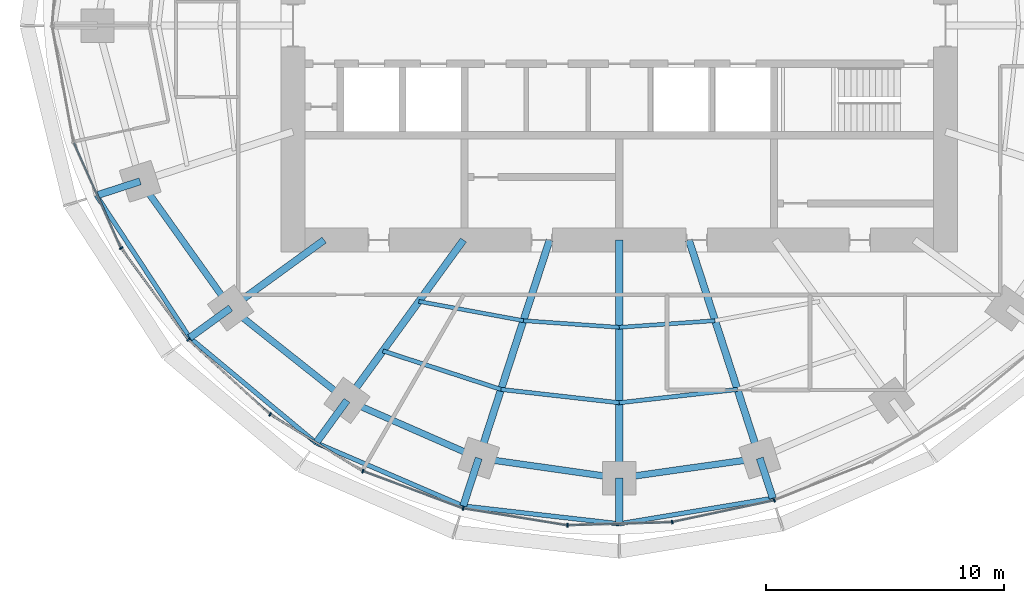
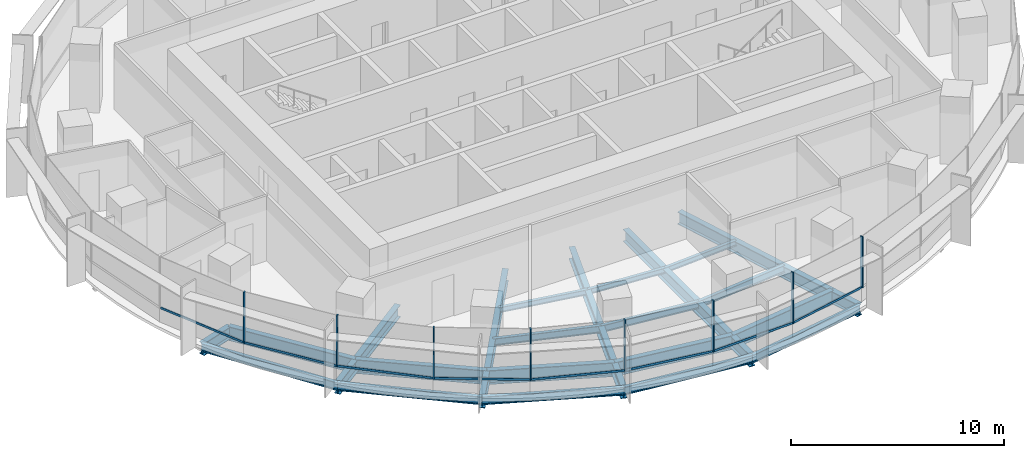
# One storey, part 2 of 14: 27 beams, 16 members, 2 elements without a shape of their own.
"""IFC4 building model written with IfcOpenShell, lengths in metres."""

from ifc_helpers import new_model, si_unit, direction, frame, origin, origin_2d, place, context, subcontext, project, spatial, rectangle, i_section, extrude, material, material_profile, profile_set, type_object, element, aggregate, save


model = new_model("IFC4")

# Units and contexts
model_context = context("Model", 3, precision=1e-05, world=origin(), true_north=direction((0.0, 1.0)))
body_context = subcontext(model_context, "Body", "Model", "MODEL_VIEW")
ifc_project = project(units=[si_unit("LENGTHUNIT", "METRE"), si_unit("AREAUNIT", "SQUARE_METRE"), si_unit("VOLUMEUNIT", "CUBIC_METRE"), si_unit("PLANEANGLEUNIT", "RADIAN"), si_unit("MASSUNIT", "GRAM", prefix="KILO")], contexts=[model_context])

# Site, building, storey
site_placement = place(None, origin())
site = spatial("IfcSite", under=ifc_project, at=site_placement, CompositionType="ELEMENT")
building_placement = place(site_placement, origin())
building = spatial("IfcBuilding", under=site, at=building_placement, Name="Marramba Exchange Tower", CompositionType="ELEMENT")
storey_placement = place(building_placement, frame((0.0, 0.0, 179.89990234375)))
storey = spatial("IfcBuildingStorey", under=building, at=storey_placement, Name="L43", CompositionType="ELEMENT", Elevation=179.89990234375)

# Beams
ifc_material_1 = material(Name="Steel AS/NZS 3679.2 grade 300", Category="steel")
ifc_material_profile_1 = material_profile(ifc_material_1, i_section(OverallWidth=0.300048828125, OverallDepth=0.699951171875, WebThickness=0.010009765625, FlangeThickness=0.031982421875, at=origin_2d()), Name="700WB173")
ifc_profile_set_1 = profile_set([ifc_material_profile_1], Name="Steel AS/NZS 3679.2 grade 300")
beam_type_1 = type_object("IfcBeamType", Name="Cantilever girder 700WB173", PredefinedType="BEAM", material=ifc_profile_set_1)
beam_1_placement = place(storey_placement, frame((-20.109375, -6.533935546875, -0.510009765625), z_axis=(-0.951071238541, -0.308971680287, 0.0), x_axis=(0.308971680287, -0.951071238541, 0.0)))
element("IfcBeam", 1, at=beam_1_placement, inside=storey, type_object=beam_type_1, Name="Cantilever girder L43 TC12", PredefinedType="BEAM", context=body_context, shape_type="SweptSolid", body=[
    extrude(i_section(OverallWidth=0.300048828125, OverallDepth=0.699951171875, WebThickness=0.010009765625, FlangeThickness=0.031982421875, at=origin_2d()), origin(), (0.0, 0.0, 1.0), 1.930419921875),
])
beam_2_placement = place(storey_placement, frame((-16.3154296875, -11.853759765625, -0.510009765625), z_axis=(-0.808969966943, -0.587849974555, 0.0), x_axis=(0.587849974555, -0.808969966943, 0.0)))
element("IfcBeam", 2, at=beam_2_placement, inside=storey, type_object=beam_type_1, Name="Cantilever girder L43 TC13", PredefinedType="BEAM", context=body_context, shape_type="SweptSolid", body=[
    extrude(i_section(OverallWidth=0.300048828125, OverallDepth=0.699951171875, WebThickness=0.010009765625, FlangeThickness=0.031982421875, at=origin_2d()), origin(), (0.0, 0.0, 1.0), 2.12109375),
])
beam_3_placement = place(storey_placement, frame((-11.430419921875, -15.732666015625, -0.510009765625), z_axis=(-0.587789596657, -0.809013837992, 0.0), x_axis=(0.809013837992, -0.587789596657, 0.0)))
element("IfcBeam", 3, at=beam_3_placement, inside=storey, type_object=beam_type_1, Name="Cantilever girder L43 TC14", PredefinedType="BEAM", context=body_context, shape_type="SweptSolid", body=[
    extrude(i_section(OverallWidth=0.300048828125, OverallDepth=0.699951171875, WebThickness=0.010009765625, FlangeThickness=0.031982421875, at=origin_2d()), origin(), (0.0, 0.0, 1.0), 2.203857421875),
])
beam_4_placement = place(storey_placement, frame((-5.899658203125, -18.156982421875, -0.510009765625), z_axis=(-0.308971068529, -0.951071437281, 0.0), x_axis=(0.951071437281, -0.308971068529, 0.0)))
element("IfcBeam", 4, at=beam_4_placement, inside=storey, type_object=beam_type_1, Name="Cantilever girder L43 TC15", PredefinedType="BEAM", context=body_context, shape_type="SweptSolid", body=[
    extrude(i_section(OverallWidth=0.300048828125, OverallDepth=0.699951171875, WebThickness=0.010009765625, FlangeThickness=0.031982421875, at=origin_2d()), origin(), (0.0, 0.0, 1.0), 2.112060546875),
])
beam_5_placement = place(storey_placement, frame((0.0, -18.99609375, -0.510009765625), z_axis=(0.0, -1.0, 0.0), x_axis=(1.0, 0.0, 0.0)))
element("IfcBeam", 5, at=beam_5_placement, inside=storey, type_object=beam_type_1, Name="Cantilever girder L43 TC16", PredefinedType="BEAM", context=body_context, shape_type="SweptSolid", body=[
    extrude(i_section(OverallWidth=0.300048828125, OverallDepth=0.699951171875, WebThickness=0.010009765625, FlangeThickness=0.031982421875, at=origin_2d()), origin(), (0.0, 0.0, 1.0), 1.917724609375),
])
beam_6_placement = place(storey_placement, frame((5.899658203125, -18.156982421875, -0.510009765625), z_axis=(0.308926813415, -0.951085813138, 0.0), x_axis=(0.951085813138, 0.308926813415, 0.0)))
element("IfcBeam", 6, at=beam_6_placement, inside=storey, type_object=beam_type_1, Name="Cantilever girder L43 TC17", PredefinedType="BEAM", context=body_context, shape_type="SweptSolid", body=[
    extrude(i_section(OverallWidth=0.300048828125, OverallDepth=0.699951171875, WebThickness=0.010009765625, FlangeThickness=0.031982421875, at=origin_2d()), origin(), (0.0, 0.0, 1.0), 1.767822265625),
])
ifc_material_2 = material(Name="Steel AS/NZS 3679.1 grade 300", Category="steel")
ifc_material_profile_2 = material_profile(ifc_material_2, i_section(OverallWidth=0.166015625, OverallDepth=0.306884765625, WebThickness=0.006591796875, FlangeThickness=0.01171875, FilletRadius=0.011474609375, at=origin_2d()), Name="310UB46.2")
ifc_profile_set_2 = profile_set([ifc_material_profile_2], Name="Steel AS/NZS 3679.1 grade 300")
beam_type_2 = type_object("IfcBeamType", Name="Floor joist 310UB46.2", PredefinedType="JOIST", material=ifc_profile_set_2)
beam_7_placement = place(storey_placement, frame((-8.41162109375, -11.57763671875, -0.3134765625), z_axis=(0.983455754421, -0.181148500119, 0.0), x_axis=(0.181148500119, 0.983455754421, 0.0)))
element("IfcBeam", 7, at=beam_7_placement, inside=storey, type_object=beam_type_2, Name="Joist L43 bay 14 row 1", PredefinedType="JOIST", context=body_context, shape_type="SweptSolid", body=[
    extrude(i_section(OverallWidth=0.166015625, OverallDepth=0.306884765625, WebThickness=0.006591796875, FlangeThickness=0.01171875, FilletRadius=0.011474609375, at=origin_2d()), origin(), (0.0, 0.0, 1.0), 4.4609375),
])
for number, where, z_axis, x_axis, name in (
    (8, (-4.0244140625, -12.3857421875, -0.3134765625), (0.99759625901, -0.069294328838, 0.0), (0.069294328838, 0.99759625901, 0.0), "Joist L43 bay 15 row 1"),
    (9, (0.0, -12.665283203125, -0.3134765625), (0.99759625901, 0.069294328838, 0.0), (-0.069294328838, 0.99759625901, 0.0), "Joist L43 bay 16 row 1"),
):
    element("IfcBeam", number, at=place(storey_placement, frame(where, z_axis=z_axis, x_axis=x_axis)), inside=storey, type_object=beam_type_2, Name=name, PredefinedType="JOIST", context=body_context, shape_type="SweptSolid", body=[
        extrude(i_section(OverallWidth=0.166015625, OverallDepth=0.306884765625, WebThickness=0.006591796875, FlangeThickness=0.01171875, FilletRadius=0.011474609375, at=origin_2d()), origin(), (0.0, 0.0, 1.0), 4.0341796875),
    ])
ifc_material_profile_3 = material_profile(ifc_material_2, i_section(OverallWidth=0.177978515625, OverallDepth=0.406005859375, WebThickness=0.0078125, FlangeThickness=0.0126953125, FilletRadius=0.011474609375, at=origin_2d()), Name="410UB59.7")
ifc_profile_set_3 = profile_set([ifc_material_profile_3], Name="Steel AS/NZS 3679.1 grade 300")
beam_type_3 = type_object("IfcBeamType", Name="Floor joist 410UB59.7", PredefinedType="JOIST", material=ifc_profile_set_3)
beam_8_placement = place(storey_placement, frame((-9.9208984375, -13.655029296875, -0.36279296875), z_axis=(0.950764024931, -0.309915744834, 0.0), x_axis=(0.309915744834, 0.950764024931, 0.0)))
element("IfcBeam", 10, at=beam_8_placement, inside=storey, type_object=beam_type_3, Name="Joist L43 bay 14 row 2", PredefinedType="JOIST", context=body_context, shape_type="SweptSolid", body=[
    extrude(i_section(OverallWidth=0.177978515625, OverallDepth=0.406005859375, WebThickness=0.0078125, FlangeThickness=0.0126953125, FilletRadius=0.011474609375, at=origin_2d()), origin(), (0.0, 0.0, 1.0), 5.2158203125),
])
for number, where, z_axis, x_axis, name in (
    (11, (-4.9619140625, -15.271484375, -0.36279296875), (0.993712018573, -0.111966174106, 0.0), (0.111966174106, 0.993712018573, 0.0), "Joist L43 bay 15 row 2"),
    (12, (0.0, -15.83056640625, -0.36279296875), (0.993712018573, 0.111966174106, 0.0), (-0.111966174106, 0.993712018573, 0.0), "Joist L43 bay 16 row 2"),
):
    element("IfcBeam", number, at=place(storey_placement, frame(where, z_axis=z_axis, x_axis=x_axis)), inside=storey, type_object=beam_type_3, Name=name, PredefinedType="JOIST", context=body_context, shape_type="SweptSolid", body=[
        extrude(i_section(OverallWidth=0.177978515625, OverallDepth=0.406005859375, WebThickness=0.0078125, FlangeThickness=0.0126953125, FilletRadius=0.011474609375, at=origin_2d()), origin(), (0.0, 0.0, 1.0), 4.993408203125),
    ])

# Curtain wall, members
ifc_material_3 = material(Name="Aluminium framing, bronze anodised", Category="aluminium")
curtain_wall_type = type_object("IfcCurtainWallType", Name="Office ribbon curtain wall", PredefinedType="USERDEFINED", material=ifc_material_3)
curtain_wall_1_placement = place(storey_placement, origin())
curtain_wall_1 = element("IfcCurtainWall", 13, at=curtain_wall_1_placement, inside=storey, type_object=curtain_wall_type, Name="Curtain wall CW4 L43 F16-F20", ObjectType="RIBBON CURTAIN WALL", PredefinedType="USERDEFINED")
ifc_material_4 = material(Name="Aluminium mullion, bronze anodised", Category="aluminium")
ifc_material_profile_4 = material_profile(ifc_material_4, rectangle(XDim=0.159912109375, YDim=0.06005859375, at=origin_2d()), Name="CW4 mullion 60x160")
ifc_profile_set_4 = profile_set([ifc_material_profile_4], Name="Aluminium mullion, bronze anodised")
member_type_1 = type_object("IfcMemberType", Name="Office ribbon curtain wall mullion", PredefinedType="MULLION", material=ifc_profile_set_4)
member_1_placement = place(storey_placement, frame((-20.910400390625, -9.342041015625, 0.800048828125), z_axis=(0.0, 0.0, 1.0), x_axis=(0.806508054547, 0.591223103363, 0.0)))
member_1 = element("IfcMember", 14, at=member_1_placement, type_object=member_type_1, Name="CW4 mullion 1", PredefinedType="MULLION", context=body_context, shape_type="SweptSolid", body=[
    extrude(rectangle(XDim=0.159912109375, YDim=0.06005859375, at=origin_2d()), origin(), (0.0, 0.0, 1.0), 2.93994140625),
])
member_2_placement = place(storey_placement, frame((-18.090087890625, -13.179443359375, 0.800048828125), z_axis=(0.0, 0.0, 1.0), x_axis=(0.67567103474, 0.737203264245, 0.0)))
member_2 = element("IfcMember", 15, at=member_2_placement, type_object=member_type_1, Name="CW4 mullion 1", PredefinedType="MULLION", context=body_context, shape_type="SweptSolid", body=[
    extrude(rectangle(XDim=0.159912109375, YDim=0.06005859375, at=origin_2d()), origin(), (0.0, 0.0, 1.0), 2.93994140625),
])
member_3_placement = place(storey_placement, frame((-14.655029296875, -16.320068359375, 0.800048828125), z_axis=(0.0, 0.0, 1.0), x_axis=(0.52305160869, 0.85230101176, 0.0)))
member_3 = element("IfcMember", 16, at=member_3_placement, type_object=member_type_1, Name="CW4 mullion 1", PredefinedType="MULLION", context=body_context, shape_type="SweptSolid", body=[
    extrude(rectangle(XDim=0.159912109375, YDim=0.06005859375, at=origin_2d()), origin(), (0.0, 0.0, 1.0), 2.93994140625),
])

curtain_wall_2_placement = place(storey_placement, origin())
curtain_wall_2 = element("IfcCurtainWall", 17, at=curtain_wall_2_placement, inside=storey, type_object=curtain_wall_type, Name="Curtain wall CW4 L43 F21-F25", ObjectType="RIBBON CURTAIN WALL", PredefinedType="USERDEFINED")
member_4_placement = place(storey_placement, frame((-10.76318359375, -18.70166015625, 0.800048828125), z_axis=(0.0, 0.0, 1.0), x_axis=(0.349459197687, 0.936951583142, 0.0)))
member_4 = element("IfcMember", 18, at=member_4_placement, type_object=member_type_1, Name="CW4 mullion 1", PredefinedType="MULLION", context=body_context, shape_type="SweptSolid", body=[
    extrude(rectangle(XDim=0.159912109375, YDim=0.06005859375, at=origin_2d()), origin(), (0.0, 0.0, 1.0), 2.93994140625),
])
member_5_placement = place(storey_placement, frame((-6.553466796875, -20.265625, 0.800048828125), z_axis=(0.0, 0.0, 1.0), x_axis=(0.161145726194, 0.986930623159, 0.0)))
member_5 = element("IfcMember", 19, at=member_5_placement, type_object=member_type_1, Name="CW4 mullion 1", PredefinedType="MULLION", context=body_context, shape_type="SweptSolid", body=[
    extrude(rectangle(XDim=0.159912109375, YDim=0.06005859375, at=origin_2d()), origin(), (0.0, 0.0, 1.0), 2.93994140625),
])
member_6_placement = place(storey_placement, frame((-2.174560546875, -20.974853515625, 0.800048828125), z_axis=(0.0, 0.0, 1.0), x_axis=(-0.029393451762, 0.99956791915, 0.0)))
member_6 = element("IfcMember", 20, at=member_6_placement, type_object=member_type_1, Name="CW4 mullion 1", PredefinedType="MULLION", context=body_context, shape_type="SweptSolid", body=[
    extrude(rectangle(XDim=0.159912109375, YDim=0.06005859375, at=origin_2d()), origin(), (0.0, 0.0, 1.0), 2.93994140625),
])
member_7_placement = place(storey_placement, frame((2.220458984375, -20.840087890625, 0.800048828125), z_axis=(0.0, 0.0, 1.0), x_axis=(-0.208332456608, 0.978058069607, 0.0)))
member_7 = element("IfcMember", 21, at=member_7_placement, type_object=member_type_1, Name="CW4 mullion 1", PredefinedType="MULLION", context=body_context, shape_type="SweptSolid", body=[
    extrude(rectangle(XDim=0.159912109375, YDim=0.06005859375, at=origin_2d()), origin(), (0.0, 0.0, 1.0), 2.93994140625),
])
member_8_placement = place(storey_placement, frame((6.504638671875, -19.922607421875, 0.800048828125), z_axis=(0.0, 0.0, 1.0), x_axis=(-0.367374724195, 0.93007301435, 0.0)))
member_8 = element("IfcMember", 22, at=member_8_placement, type_object=member_type_1, Name="CW4 mullion 1", PredefinedType="MULLION", context=body_context, shape_type="SweptSolid", body=[
    extrude(rectangle(XDim=0.159912109375, YDim=0.06005859375, at=origin_2d()), origin(), (0.0, 0.0, 1.0), 2.93994140625),
])

# Member
ifc_material_5 = material(Name="Aluminium transom, bronze anodised", Category="aluminium")
ifc_material_profile_5 = material_profile(ifc_material_5, rectangle(XDim=0.06005859375, YDim=0.1201171875, at=origin_2d()), Name="CW4 transom 60x120")
ifc_profile_set_5 = profile_set([ifc_material_profile_5], Name="Aluminium transom, bronze anodised")
member_type_2 = type_object("IfcMemberType", Name="Office ribbon curtain wall transom", PredefinedType="USERDEFINED", material=ifc_profile_set_5)
member_9_placement = place(storey_placement, frame((-22.888671875, -4.925048828125, 0.830078125), z_axis=(0.407541263131, -0.913186792965, 0.0), x_axis=(0.913186792965, 0.407541263131, 0.0)))
member_9 = element("IfcMember", 23, at=member_9_placement, type_object=member_type_2, Name="CW4 sill transom", ObjectType="TRANSOM", PredefinedType="USERDEFINED", context=body_context, shape_type="SweptSolid", body=[
    extrude(rectangle(XDim=0.06005859375, YDim=0.1201171875, at=origin_2d()), origin(), (0.0, 0.0, 1.0), 4.810546875),
])

member_10_placement = place(storey_placement, frame((-20.892578125, -9.3662109375, 0.830078125), z_axis=(0.591226373184, -0.806505657545, 0.0), x_axis=(0.806505657545, 0.591226373184, 0.0)))
member_10 = element("IfcMember", 24, at=member_10_placement, type_object=member_type_2, Name="CW4 sill transom", ObjectType="TRANSOM", PredefinedType="USERDEFINED", context=body_context, shape_type="SweptSolid", body=[
    extrude(rectangle(XDim=0.06005859375, YDim=0.1201171875, at=origin_2d()), origin(), (0.0, 0.0, 1.0), 4.702880859375),
])

member_11_placement = place(storey_placement, frame((-18.06787109375, -13.19970703125, 0.830078125), z_axis=(0.737176195283, -0.675700567639, 0.0), x_axis=(0.675700567639, 0.737176195283, 0.0)))
member_11 = element("IfcMember", 25, at=member_11_placement, type_object=member_type_2, Name="CW4 sill transom", ObjectType="TRANSOM", PredefinedType="USERDEFINED", context=body_context, shape_type="SweptSolid", body=[
    extrude(rectangle(XDim=0.06005859375, YDim=0.1201171875, at=origin_2d()), origin(), (0.0, 0.0, 1.0), 4.5947265625),
])

member_12_placement = place(storey_placement, frame((-14.62939453125, -16.335693359375, 0.830078125), z_axis=(0.852298011003, -0.523056498325, 0.0), x_axis=(0.523056498325, 0.852298011003, 0.0)))
member_12 = element("IfcMember", 26, at=member_12_placement, type_object=member_type_2, Name="CW4 sill transom", ObjectType="TRANSOM", PredefinedType="USERDEFINED", context=body_context, shape_type="SweptSolid", body=[
    extrude(rectangle(XDim=0.06005859375, YDim=0.1201171875, at=origin_2d()), origin(), (0.0, 0.0, 1.0), 4.503173828125),
])

aggregate(curtain_wall_1, [member_9, member_1, member_10, member_2, member_11, member_3, member_12])

member_13_placement = place(storey_placement, frame((-10.735107421875, -18.712158203125, 0.830078125), z_axis=(0.936954830677, -0.349450490444, 0.0), x_axis=(0.349450490444, 0.936954830677, 0.0)))
member_13 = element("IfcMember", 27, at=member_13_placement, type_object=member_type_2, Name="CW4 sill transom", ObjectType="TRANSOM", PredefinedType="USERDEFINED", context=body_context, shape_type="SweptSolid", body=[
    extrude(rectangle(XDim=0.06005859375, YDim=0.1201171875, at=origin_2d()), origin(), (0.0, 0.0, 1.0), 4.431396484375),
])

member_14_placement = place(storey_placement, frame((-6.52392578125, -20.2705078125, 0.830078125), z_axis=(0.986937225488, -0.161105285282, 0.0), x_axis=(0.161105285282, 0.986937225488, 0.0)))
member_14 = element("IfcMember", 28, at=member_14_placement, type_object=member_type_2, Name="CW4 sill transom", ObjectType="TRANSOM", PredefinedType="USERDEFINED", context=body_context, shape_type="SweptSolid", body=[
    extrude(rectangle(XDim=0.06005859375, YDim=0.1201171875, at=origin_2d()), origin(), (0.0, 0.0, 1.0), 4.37646484375),
])

member_15_placement = place(storey_placement, frame((-2.144775390625, -20.973876953125, 0.830078125), z_axis=(0.999568338005, 0.029379204529, 0.0), x_axis=(-0.029379204529, 0.999568338005, 0.0)))
member_15 = element("IfcMember", 29, at=member_15_placement, type_object=member_type_2, Name="CW4 sill transom", ObjectType="TRANSOM", PredefinedType="USERDEFINED", context=body_context, shape_type="SweptSolid", body=[
    extrude(rectangle(XDim=0.06005859375, YDim=0.1201171875, at=origin_2d()), origin(), (0.0, 0.0, 1.0), 4.337890625),
])

member_16_placement = place(storey_placement, frame((2.249755859375, -20.833984375, 0.830078125), z_axis=(0.978057951839, 0.208333009494, 0.0), x_axis=(-0.208333009494, 0.978057951839, 0.0)))
member_16 = element("IfcMember", 30, at=member_16_placement, type_object=member_type_2, Name="CW4 sill transom", ObjectType="TRANSOM", PredefinedType="USERDEFINED", context=body_context, shape_type="SweptSolid", body=[
    extrude(rectangle(XDim=0.06005859375, YDim=0.1201171875, at=origin_2d()), origin(), (0.0, 0.0, 1.0), 4.32177734375),
])

aggregate(curtain_wall_2, [member_4, member_13, member_5, member_14, member_6, member_15, member_7, member_16, member_8])

# Beams
ifc_material_profile_6 = material_profile(ifc_material_1, i_section(OverallWidth=0.300048828125, OverallDepth=0.699951171875, WebThickness=0.010009765625, FlangeThickness=0.031982421875, at=origin_2d()), Name="700WB173")
ifc_profile_set_6 = profile_set([ifc_material_profile_6], Name="Steel AS/NZS 3679.2 grade 300")
beam_type_4 = type_object("IfcBeamType", Name="Radial girder 700WB173", PredefinedType="BEAM", material=ifc_profile_set_6)
beam_9_placement = place(storey_placement, frame((-12.387451171875, -9.0, -0.510009765625), z_axis=(-0.809025189606, -0.58777397236, 0.0), x_axis=(0.58777397236, -0.809025189606, 0.0)))
element("IfcBeam", 31, at=beam_9_placement, inside=storey, type_object=beam_type_4, Name="Radial girder L43 TC13", PredefinedType="BEAM", context=body_context, shape_type="SweptSolid", body=[
    extrude(i_section(OverallWidth=0.300048828125, OverallDepth=0.699951171875, WebThickness=0.010009765625, FlangeThickness=0.031982421875, at=origin_2d()), origin(), (0.0, 0.0, 1.0), 4.855224609375),
])
beam_10_placement = place(storey_placement, frame((-6.538818359375, -9.0, -0.510009765625), z_axis=(-0.587787877172, -0.809015087282, 0.0), x_axis=(0.809015087282, -0.587787877172, 0.0)))
element("IfcBeam", 32, at=beam_10_placement, inside=storey, type_object=beam_type_4, Name="Radial girder L43 TC14", PredefinedType="BEAM", context=body_context, shape_type="SweptSolid", body=[
    extrude(i_section(OverallWidth=0.300048828125, OverallDepth=0.699951171875, WebThickness=0.010009765625, FlangeThickness=0.031982421875, at=origin_2d()), origin(), (0.0, 0.0, 1.0), 8.322021484375),
])
beam_11_placement = place(storey_placement, frame((-2.92431640625, -9.0, -0.510009765625), z_axis=(-0.309022428985, -0.951054750466, 0.0), x_axis=(0.951054750466, -0.309022428985, 0.0)))
element("IfcBeam", 33, at=beam_11_placement, inside=storey, type_object=beam_type_4, Name="Radial girder L43 TC15", PredefinedType="BEAM", context=body_context, shape_type="SweptSolid", body=[
    extrude(i_section(OverallWidth=0.300048828125, OverallDepth=0.699951171875, WebThickness=0.010009765625, FlangeThickness=0.031982421875, at=origin_2d()), origin(), (0.0, 0.0, 1.0), 9.628173828125),
])
beam_12_placement = place(storey_placement, frame((0.0, -9.0, -0.510009765625), z_axis=(0.0, -1.0, 0.0), x_axis=(1.0, 0.0, 0.0)))
element("IfcBeam", 34, at=beam_12_placement, inside=storey, type_object=beam_type_4, Name="Radial girder L43 TC16", PredefinedType="BEAM", context=body_context, shape_type="SweptSolid", body=[
    extrude(i_section(OverallWidth=0.300048828125, OverallDepth=0.699951171875, WebThickness=0.010009765625, FlangeThickness=0.031982421875, at=origin_2d()), origin(), (0.0, 0.0, 1.0), 9.99609375),
])
beam_13_placement = place(storey_placement, frame((2.92431640625, -9.0, -0.510009765625), z_axis=(0.309022428985, -0.951054750466, 0.0), x_axis=(0.951054750466, 0.309022428985, 0.0)))
element("IfcBeam", 35, at=beam_13_placement, inside=storey, type_object=beam_type_4, Name="Radial girder L43 TC17", PredefinedType="BEAM", context=body_context, shape_type="SweptSolid", body=[
    extrude(i_section(OverallWidth=0.300048828125, OverallDepth=0.699951171875, WebThickness=0.010009765625, FlangeThickness=0.031982421875, at=origin_2d()), origin(), (0.0, 0.0, 1.0), 9.628173828125),
])
ifc_material_profile_7 = material_profile(ifc_material_1, i_section(OverallWidth=0.27490234375, OverallDepth=0.800048828125, WebThickness=0.010009765625, FlangeThickness=0.02490234375, at=origin_2d()), Name="800WB168")
ifc_profile_set_7 = profile_set([ifc_material_profile_7], Name="Steel AS/NZS 3679.2 grade 300")
beam_type_5 = type_object("IfcBeamType", Name="Ring beam 800WB168", PredefinedType="SPANDREL", material=ifc_profile_set_7)
beam_14_placement = place(storey_placement, frame((-20.109375, -6.533935546875, -0.559814453125), z_axis=(0.580637181111, -0.814162430914, 0.0), x_axis=(0.814162430914, 0.580637181111, 0.0)))
element("IfcBeam", 36, at=beam_14_placement, inside=storey, type_object=beam_type_5, Name="Ring beam L43 TC12-TC13", PredefinedType="SPANDREL", context=body_context, shape_type="SweptSolid", body=[
    extrude(i_section(OverallWidth=0.27490234375, OverallDepth=0.800048828125, WebThickness=0.010009765625, FlangeThickness=0.02490234375, at=origin_2d()), origin(), (0.0, 0.0, 1.0), 6.5341796875),
])
beam_15_placement = place(storey_placement, frame((-16.3154296875, -11.853759765625, -0.559814453125), z_axis=(0.783139438128, -0.621846138887, 0.0), x_axis=(0.621846138887, 0.783139438128, 0.0)))
element("IfcBeam", 37, at=beam_15_placement, inside=storey, type_object=beam_type_5, Name="Ring beam L43 TC13-TC14", PredefinedType="SPANDREL", context=body_context, shape_type="SweptSolid", body=[
    extrude(i_section(OverallWidth=0.27490234375, OverallDepth=0.800048828125, WebThickness=0.010009765625, FlangeThickness=0.02490234375, at=origin_2d()), origin(), (0.0, 0.0, 1.0), 6.23779296875),
])
beam_16_placement = place(storey_placement, frame((-11.430419921875, -15.732666015625, -0.559814453125), z_axis=(0.915876892158, -0.4014592363, 0.0), x_axis=(0.4014592363, 0.915876892158, 0.0)))
element("IfcBeam", 38, at=beam_16_placement, inside=storey, type_object=beam_type_5, Name="Ring beam L43 TC14-TC15", PredefinedType="SPANDREL", context=body_context, shape_type="SweptSolid", body=[
    extrude(i_section(OverallWidth=0.27490234375, OverallDepth=0.800048828125, WebThickness=0.010009765625, FlangeThickness=0.02490234375, at=origin_2d()), origin(), (0.0, 0.0, 1.0), 6.038818359375),
])
for number, where, z_axis, x_axis, name in (
    (39, (-5.899658203125, -18.156982421875, -0.559814453125), (0.990036163016, -0.140813337152, 0.0), (0.140813337152, 0.990036163016, 0.0), "Ring beam L43 TC15-TC16"),
    (40, (0.0, -18.99609375, -0.559814453125), (0.990036163016, 0.140813337152, 0.0), (-0.140813337152, 0.990036163016, 0.0), "Ring beam L43 TC16-TC17"),
):
    element("IfcBeam", number, at=place(storey_placement, frame(where, z_axis=z_axis, x_axis=x_axis)), inside=storey, type_object=beam_type_5, Name=name, PredefinedType="SPANDREL", context=body_context, shape_type="SweptSolid", body=[
        extrude(i_section(OverallWidth=0.27490234375, OverallDepth=0.800048828125, WebThickness=0.010009765625, FlangeThickness=0.02490234375, at=origin_2d()), origin(), (0.0, 0.0, 1.0), 5.958984375),
    ])
ifc_material_profile_8 = material_profile(ifc_material_2, i_section(OverallWidth=0.19091796875, OverallDepth=0.4599609375, WebThickness=0.010009765625, FlangeThickness=0.01611328125, FilletRadius=0.011474609375, at=origin_2d()), Name="460UB82.1")
ifc_profile_set_8 = profile_set([ifc_material_profile_8], Name="Steel AS/NZS 3679.1 grade 300")
beam_type_6 = type_object("IfcBeamType", Name="Slab edge beam 460UB82.1", PredefinedType="SPANDREL", material=ifc_profile_set_8)
beam_17_placement = place(storey_placement, frame((-21.9453125, -7.13037109375, -0.389892578125), z_axis=(0.548275412052, -0.83629783722, 0.0), x_axis=(0.83629783722, 0.548275412052, 0.0)))
element("IfcBeam", 41, at=beam_17_placement, inside=storey, type_object=beam_type_6, Name="Slab edge beam L43 TC12-TC13", PredefinedType="SPANDREL", context=body_context, shape_type="SweptSolid", body=[
    extrude(i_section(OverallWidth=0.19091796875, OverallDepth=0.4599609375, WebThickness=0.010009765625, FlangeThickness=0.01611328125, FilletRadius=0.011474609375, at=origin_2d()), origin(), (0.0, 0.0, 1.0), 7.138916015625),
])
beam_18_placement = place(storey_placement, frame((-18.03125, -13.1005859375, -0.389892578125), z_axis=(0.768658895231, -0.639658895649, 0.0), x_axis=(0.639658895649, 0.768658895231, 0.0)))
element("IfcBeam", 42, at=beam_18_placement, inside=storey, type_object=beam_type_6, Name="Slab edge beam L43 TC13-TC14", PredefinedType="SPANDREL", context=body_context, shape_type="SweptSolid", body=[
    extrude(i_section(OverallWidth=0.19091796875, OverallDepth=0.4599609375, WebThickness=0.010009765625, FlangeThickness=0.01611328125, FilletRadius=0.011474609375, at=origin_2d()), origin(), (0.0, 0.0, 1.0), 6.902099609375),
])
beam_19_placement = place(storey_placement, frame((-12.725830078125, -17.515625, -0.389892578125), z_axis=(0.9189117964, -0.394463065999, 0.0), x_axis=(0.394463065999, 0.9189117964, 0.0)))
element("IfcBeam", 43, at=beam_19_placement, inside=storey, type_object=beam_type_6, Name="Slab edge beam L43 TC14-TC15", PredefinedType="SPANDREL", context=body_context, shape_type="SweptSolid", body=[
    extrude(i_section(OverallWidth=0.19091796875, OverallDepth=0.4599609375, WebThickness=0.010009765625, FlangeThickness=0.01611328125, FilletRadius=0.011474609375, at=origin_2d()), origin(), (0.0, 0.0, 1.0), 6.71826171875),
])
beam_20_placement = place(storey_placement, frame((-6.55224609375, -20.165771484375, -0.389892578125), z_axis=(0.993546030009, -0.113429653325, 0.0), x_axis=(0.113429653325, 0.993546030009, 0.0)))
element("IfcBeam", 44, at=beam_20_placement, inside=storey, type_object=beam_type_6, Name="Slab edge beam L43 TC15-TC16", PredefinedType="SPANDREL", context=body_context, shape_type="SweptSolid", body=[
    extrude(i_section(OverallWidth=0.19091796875, OverallDepth=0.4599609375, WebThickness=0.010009765625, FlangeThickness=0.01611328125, FilletRadius=0.011474609375, at=origin_2d()), origin(), (0.0, 0.0, 1.0), 6.5947265625),
])
beam_21_placement = place(storey_placement, frame((0.0, -20.913818359375, -0.389892578125), z_axis=(0.986365637189, 0.164568617219, 0.0), x_axis=(-0.164568617219, 0.986365637189, 0.0)))
element("IfcBeam", 45, at=beam_21_placement, inside=storey, type_object=beam_type_6, Name="Slab edge beam L43 TC16-TC17", PredefinedType="SPANDREL", context=body_context, shape_type="SweptSolid", body=[
    extrude(i_section(OverallWidth=0.19091796875, OverallDepth=0.4599609375, WebThickness=0.010009765625, FlangeThickness=0.01611328125, FilletRadius=0.011474609375, at=origin_2d()), origin(), (0.0, 0.0, 1.0), 6.534912109375),
])

save(model, "model.ifc")
